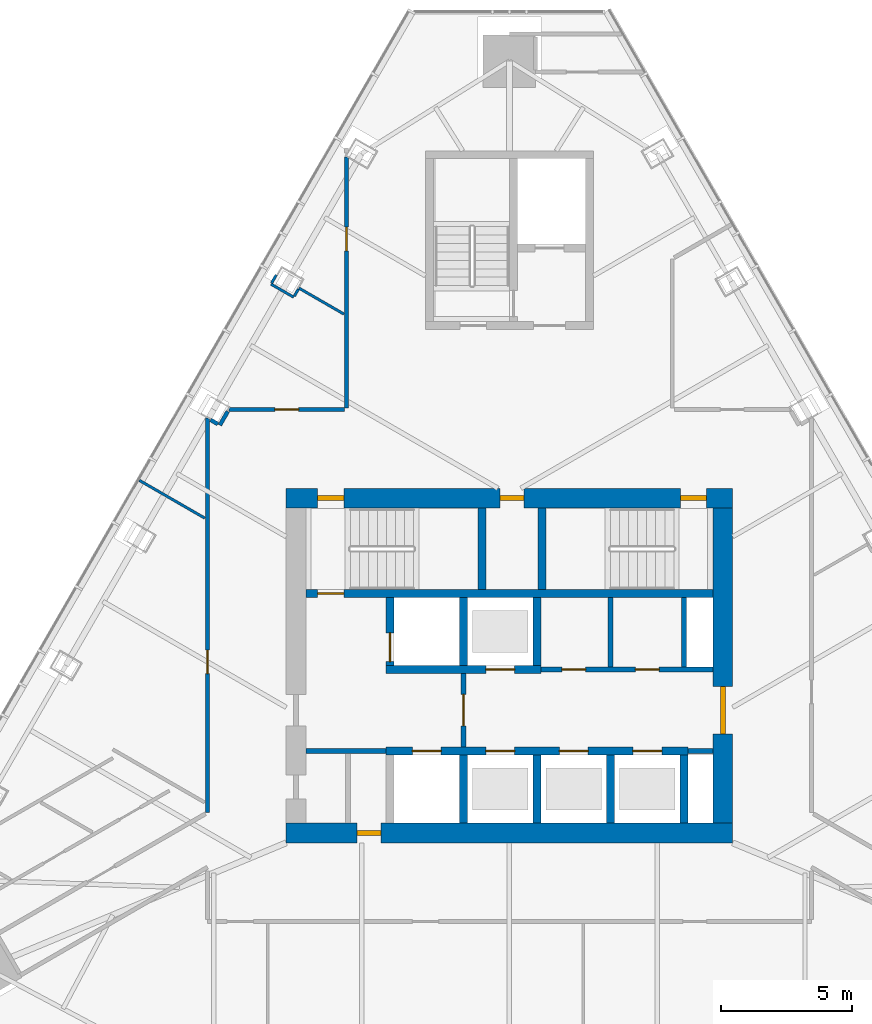
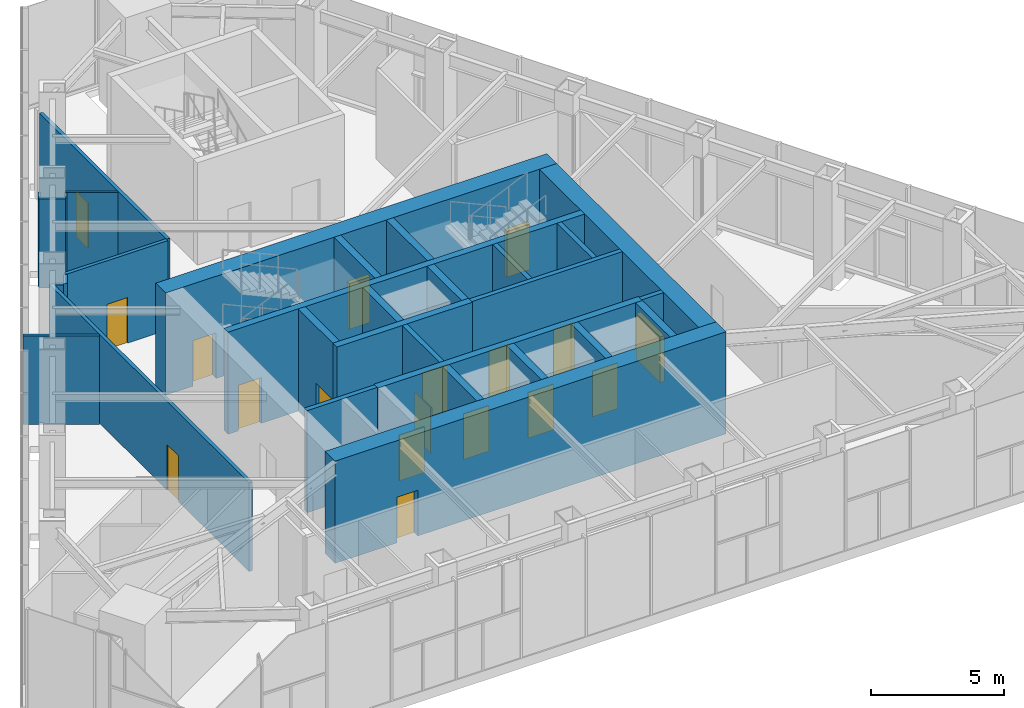
# One storey, part 12 of 17: 31 walls, 18 doors, 18 openings.
"""IFC4 building model written with IfcOpenShell, lengths in metres."""

from ifc_helpers import new_model, si_unit, direction, frame, frame_2d, origin, place, context, subcontext, project, spatial, rectangle, extrude, material, layer, layer_set, type_object, element, fill, save


model = new_model("IFC4")

# Units and contexts
model_context = context("Model", 3, precision=1e-05, world=origin(), true_north=direction((0.0, 1.0)))
body_context = subcontext(model_context, "Body", "Model", "MODEL_VIEW")
ifc_project = project(units=[si_unit("LENGTHUNIT", "METRE"), si_unit("AREAUNIT", "SQUARE_METRE"), si_unit("VOLUMEUNIT", "CUBIC_METRE"), si_unit("PLANEANGLEUNIT", "RADIAN"), si_unit("MASSUNIT", "GRAM", prefix="KILO")], contexts=[model_context])

# Site, building, storey
site_placement = place(None, origin())
site = spatial("IfcSite", under=ifc_project, at=site_placement, CompositionType="ELEMENT")
building_placement = place(site_placement, origin())
building = spatial("IfcBuilding", under=site, at=building_placement, Name="Firuza Gate Tower and Library", CompositionType="ELEMENT")
storey_placement = place(building_placement, frame((0.0, 0.0, 326.60009765625)))
storey = spatial("IfcBuildingStorey", under=building, at=storey_placement, Name="L80", CompositionType="ELEMENT", Elevation=326.60009765625)

# Walls
ifc_material_1 = material(Name="Plasterboard on steel studs", Category="steel")
ifc_layer_1 = layer(ifc_material_1, 0.199951171875)
ifc_layer_set_1 = layer_set([ifc_layer_1], Name="Core partition 200 EI 120")
wall_type_1 = type_object("IfcWallType", Name="Core partition 200 EI 120", PredefinedType="PARTITIONING", material=ifc_layer_set_1)
wall_1_placement = place(storey_placement, frame((67.25, 71.75, 0.0), z_axis=(0.0, 0.0, 1.0), x_axis=(1.0, 0.0, 0.0)))
element("IfcWall", 1, at=wall_1_placement, inside=storey, type_object=wall_type_1, Name="Core partition L80 1", PredefinedType="PARTITIONING", context=body_context, shape_type="SweptSolid", body=[
    extrude(rectangle(XDim=3.050048828125, YDim=0.199951171875, at=frame_2d((1.52490234375, 0.0))), origin(), (0.0, 0.0, 1.0), 4.699951171875),
])
wall_2_placement = place(storey_placement, frame((81.800048828125, 71.75, 0.0), z_axis=(0.0, 0.0, 1.0), x_axis=(1.0, 0.0, 0.0)))
element("IfcWall", 2, at=wall_2_placement, inside=storey, type_object=wall_type_1, Name="Core partition L80 2", PredefinedType="PARTITIONING", context=body_context, shape_type="SweptSolid", body=[
    extrude(rectangle(XDim=0.949951171875, YDim=0.199951171875, at=frame_2d((0.47509765625, 0.0))), origin(), (0.0, 0.0, 1.0), 4.699951171875),
])

# Wall, openings, doors
wall_3_placement = place(storey_placement, frame((76.199951171875, 74.85009765625, 0.0), z_axis=(0.0, 0.0, 1.0), x_axis=(1.0, 0.0, 0.0)))
wall_3 = element("IfcWall", 3, at=wall_3_placement, inside=storey, type_object=wall_type_1, Name="Core partition L80 3", PredefinedType="PARTITIONING", context=body_context, shape_type="SweptSolid", body=[
    extrude(rectangle(XDim=6.550048828125, YDim=0.199951171875, at=frame_2d((3.27490234375, 0.0))), origin(), (0.0, 0.0, 1.0), 4.699951171875),
])
opening_1_placement = place(wall_3_placement, frame((0.800048828125, 0.0, 0.0)))
opening_1 = element("IfcOpeningElement", 4, at=opening_1_placement, cuts=wall_3, Name="Opening L80-K19", PredefinedType="OPENING", context=body_context, shape_type="SweptSolid", body=[
    extrude(rectangle(XDim=0.89990234375, YDim=2.10009765625, at=frame_2d((0.449951171875, 1.050048828125))), frame((0.0, 0.10986328125, 0.0), z_axis=(0.0, -1.0, 0.0), x_axis=(1.0, 0.0, 0.0)), (0.0, 0.0, 1.0), 0.219970703125),
])
opening_2_placement = place(wall_3_placement, frame((3.60009765625, 0.0, 0.0)))
opening_2 = element("IfcOpeningElement", 5, at=opening_2_placement, cuts=wall_3, Name="Opening L80-K20", PredefinedType="OPENING", context=body_context, shape_type="SweptSolid", body=[
    extrude(rectangle(XDim=0.89990234375, YDim=2.10009765625, at=frame_2d((0.449951171875, 1.050048828125))), frame((0.0, 0.10986328125, 0.0), z_axis=(0.0, -1.0, 0.0), x_axis=(1.0, 0.0, 0.0)), (0.0, 0.0, 1.0), 0.219970703125),
])
ifc_material_2 = material(Name="Steel", Category="steel")
door_type_1 = type_object("IfcDoorType", Name="Fire door 900x2100 FD30S", OperationType="NOTDEFINED", PredefinedType="DOOR", material=ifc_material_2)
door_1_placement = place(opening_1_placement, origin())
door_1 = element("IfcDoor", 6, at=door_1_placement, inside=storey, type_object=door_type_1, Name="Door L80-K19", OperationType="SINGLE_SWING_RIGHT", OverallHeight=2.10009765625, OverallWidth=0.89990234375, PredefinedType="DOOR", context=body_context, shape_type="SweptSolid", body=[
    extrude(rectangle(XDim=0.89990234375, YDim=2.10009765625, at=frame_2d((0.449951171875, 1.050048828125))), frame((0.0, 0.02490234375, 0.0), z_axis=(0.0, -1.0, 0.0), x_axis=(1.0, 0.0, 0.0)), (0.0, 0.0, 1.0), 0.050048828125),
])
fill(opening_1, door_1)
door_2_placement = place(opening_2_placement, origin())
door_2 = element("IfcDoor", 7, at=door_2_placement, inside=storey, type_object=door_type_1, Name="Door L80-K20", OperationType="SINGLE_SWING_LEFT", OverallHeight=2.10009765625, OverallWidth=0.89990234375, PredefinedType="DOOR", context=body_context, shape_type="SweptSolid", body=[
    extrude(rectangle(XDim=0.89990234375, YDim=2.10009765625, at=frame_2d((0.449951171875, 1.050048828125))), frame((0.0, 0.02490234375, 0.0), z_axis=(0.0, -1.0, 0.0), x_axis=(1.0, 0.0, 0.0)), (0.0, 0.0, 1.0), 0.050048828125),
])
fill(opening_2, door_2)

# Walls
for number, where, z_axis, x_axis, name in (
    (8, (78.85009765625, 74.949951171875, 0.0), (0.0, 0.0, 1.0), (0.0, 1.0, 0.0), "Core partition L80 6"),
    (9, (81.64990234375, 74.949951171875, 0.0), (0.0, 0.0, 1.0), (0.0, 1.0, 0.0), "Core partition L80 7"),
):
    element("IfcWall", number, at=place(storey_placement, frame(where, z_axis=z_axis, x_axis=x_axis)), inside=storey, type_object=wall_type_1, Name=name, PredefinedType="PARTITIONING", context=body_context, shape_type="SweptSolid", body=[
        extrude(rectangle(XDim=2.650146484375, YDim=0.199951171875, at=frame_2d((1.3251953125, 0.0))), origin(), (0.0, 0.0, 1.0), 4.699951171875),
    ])

# Wall, opening, door
ifc_material_3 = material(Name="Plasterboard on steel studs", Category="steel")
ifc_layer_2 = layer(ifc_material_3, 0.199951171875)
ifc_layer_set_2 = layer_set([ifc_layer_2], Name="Core partition 200 EI 60")
wall_type_2 = type_object("IfcWallType", Name="Core partition 200 EI 60", PredefinedType="PARTITIONING", material=ifc_layer_set_2)
wall_4_placement = place(storey_placement, frame((73.25, 71.89990234375, 0.0), z_axis=(0.0, 0.0, 1.0), x_axis=(0.0, 1.0, 0.0)))
wall_4 = element("IfcWall", 10, at=wall_4_placement, inside=storey, type_object=wall_type_2, Name="Core partition L80 5", PredefinedType="PARTITIONING", context=body_context, shape_type="SweptSolid", body=[
    extrude(rectangle(XDim=2.800048828125, YDim=0.199951171875, at=frame_2d((1.39990234375, 0.0))), origin(), (0.0, 0.0, 1.0), 4.699951171875),
])
opening_3_placement = place(wall_4_placement, frame((0.800048828125, 0.0, 0.0)))
opening_3 = element("IfcOpeningElement", 11, at=opening_3_placement, cuts=wall_4, Name="Opening L80-K14", PredefinedType="OPENING", context=body_context, shape_type="SweptSolid", body=[
    extrude(rectangle(XDim=1.199951171875, YDim=2.10009765625, at=frame_2d((0.60009765625, 1.050048828125))), frame((0.0, 0.10986328125, 0.0), z_axis=(0.0, -1.0, 0.0), x_axis=(1.0, 0.0, 0.0)), (0.0, 0.0, 1.0), 0.219970703125),
])
ifc_material_4 = material(Name="Steel", Category="steel")
door_type_2 = type_object("IfcDoorType", Name="Fire door 1200x2100 FD90S", OperationType="NOTDEFINED", PredefinedType="DOOR", material=ifc_material_4)
door_3_placement = place(opening_3_placement, origin())
door_3 = element("IfcDoor", 12, at=door_3_placement, inside=storey, type_object=door_type_2, Name="Door L80-K14", OperationType="SINGLE_SWING_LEFT", OverallHeight=2.10009765625, OverallWidth=1.199951171875, PredefinedType="DOOR", context=body_context, shape_type="SweptSolid", body=[
    extrude(rectangle(XDim=1.199951171875, YDim=2.10009765625, at=frame_2d((0.60009765625, 1.050048828125))), frame((0.0, 0.02490234375, 0.0), z_axis=(0.0, -1.0, 0.0), x_axis=(1.0, 0.0, 0.0)), (0.0, 0.0, 1.0), 0.050048828125),
])
fill(opening_3, door_3)

# Wall, openings, doors
ifc_material_5 = material(Name="Concrete C60/75", Category="concrete")
ifc_layer_3 = layer(ifc_material_5, 0.300048828125)
ifc_layer_set_3 = layer_set([ifc_layer_3], Name="Core wall 300 C60/75")
wall_type_3 = type_object("IfcWallType", Name="Core wall 300 C60/75", PredefinedType="SHEAR", material=ifc_layer_set_3)
wall_5_placement = place(storey_placement, frame((70.300048828125, 71.75, 0.0), z_axis=(0.0, 0.0, 1.0), x_axis=(1.0, 0.0, 0.0)))
wall_5 = element("IfcWall", 13, at=wall_5_placement, inside=storey, type_object=wall_type_3, Name="Core wall L80 5", PredefinedType="SHEAR", context=body_context, shape_type="SweptSolid", body=[
    extrude(rectangle(XDim=11.5, YDim=0.300048828125, at=frame_2d((5.75, 0.0))), origin(), (0.0, 0.0, 1.0), 4.699951171875),
])
opening_4_placement = place(wall_5_placement, frame((1.0, 0.0, 0.0)))
opening_4 = element("IfcOpeningElement", 14, at=opening_4_placement, cuts=wall_5, Name="Opening LD-FF1-L80", PredefinedType="OPENING", context=body_context, shape_type="SweptSolid", body=[
    extrude(rectangle(XDim=1.10009765625, YDim=2.10009765625, at=frame_2d((0.550048828125, 1.050048828125))), frame((0.0, 0.16015625, 0.0), z_axis=(0.0, -1.0, 0.0), x_axis=(1.0, 0.0, 0.0)), (0.0, 0.0, 1.0), 0.320068359375),
])
opening_5_placement = place(wall_5_placement, frame((3.800048828125, 0.0, 0.0)))
opening_5 = element("IfcOpeningElement", 15, at=opening_5_placement, cuts=wall_5, Name="Opening LD-HR1-L80", PredefinedType="OPENING", context=body_context, shape_type="SweptSolid", body=[
    extrude(rectangle(XDim=1.10009765625, YDim=2.10009765625, at=frame_2d((0.550048828125, 1.050048828125))), frame((0.0, 0.16015625, 0.0), z_axis=(0.0, -1.0, 0.0), x_axis=(1.0, 0.0, 0.0)), (0.0, 0.0, 1.0), 0.320068359375),
])
opening_6_placement = place(wall_5_placement, frame((6.60009765625, 0.0, 0.0)))
opening_6 = element("IfcOpeningElement", 16, at=opening_6_placement, cuts=wall_5, Name="Opening LD-HR2-L80", PredefinedType="OPENING", context=body_context, shape_type="SweptSolid", body=[
    extrude(rectangle(XDim=1.10009765625, YDim=2.10009765625, at=frame_2d((0.550048828125, 1.050048828125))), frame((0.0, 0.16015625, 0.0), z_axis=(0.0, -1.0, 0.0), x_axis=(1.0, 0.0, 0.0)), (0.0, 0.0, 1.0), 0.320068359375),
])
opening_7_placement = place(wall_5_placement, frame((9.39990234375, 0.0, 0.0)))
opening_7 = element("IfcOpeningElement", 17, at=opening_7_placement, cuts=wall_5, Name="Opening LD-HR3-L80", PredefinedType="OPENING", context=body_context, shape_type="SweptSolid", body=[
    extrude(rectangle(XDim=1.10009765625, YDim=2.10009765625, at=frame_2d((0.550048828125, 1.050048828125))), frame((0.0, 0.16015625, 0.0), z_axis=(0.0, -1.0, 0.0), x_axis=(1.0, 0.0, 0.0)), (0.0, 0.0, 1.0), 0.320068359375),
])
ifc_material_6 = material(Name="Stainless steel", Category="steel")
door_type_3 = type_object("IfcDoorType", Name="Lift landing door 1100x2100", OperationType="DOUBLE_DOOR_SLIDING", PredefinedType="DOOR", material=ifc_material_6)
door_4_placement = place(opening_4_placement, origin())
door_4 = element("IfcDoor", 18, at=door_4_placement, inside=storey, type_object=door_type_3, Name="Landing door FF1 L80", OperationType="DOUBLE_DOOR_SLIDING", OverallHeight=2.10009765625, OverallWidth=1.10009765625, PredefinedType="DOOR", context=body_context, shape_type="SweptSolid", body=[
    extrude(rectangle(XDim=1.10009765625, YDim=2.10009765625, at=frame_2d((0.550048828125, 1.050048828125))), frame((0.0, 0.02490234375, 0.0), z_axis=(0.0, -1.0, 0.0), x_axis=(1.0, 0.0, 0.0)), (0.0, 0.0, 1.0), 0.050048828125),
])
fill(opening_4, door_4)
door_5_placement = place(opening_5_placement, origin())
door_5 = element("IfcDoor", 19, at=door_5_placement, inside=storey, type_object=door_type_3, Name="Landing door HR1 L80", OperationType="DOUBLE_DOOR_SLIDING", OverallHeight=2.10009765625, OverallWidth=1.10009765625, PredefinedType="DOOR", context=body_context, shape_type="SweptSolid", body=[
    extrude(rectangle(XDim=1.10009765625, YDim=2.10009765625, at=frame_2d((0.550048828125, 1.050048828125))), frame((0.0, 0.02490234375, 0.0), z_axis=(0.0, -1.0, 0.0), x_axis=(1.0, 0.0, 0.0)), (0.0, 0.0, 1.0), 0.050048828125),
])
fill(opening_5, door_5)
door_6_placement = place(opening_6_placement, origin())
door_6 = element("IfcDoor", 20, at=door_6_placement, inside=storey, type_object=door_type_3, Name="Landing door HR2 L80", OperationType="DOUBLE_DOOR_SLIDING", OverallHeight=2.10009765625, OverallWidth=1.10009765625, PredefinedType="DOOR", context=body_context, shape_type="SweptSolid", body=[
    extrude(rectangle(XDim=1.10009765625, YDim=2.10009765625, at=frame_2d((0.550048828125, 1.050048828125))), frame((0.0, 0.02490234375, 0.0), z_axis=(0.0, -1.0, 0.0), x_axis=(1.0, 0.0, 0.0)), (0.0, 0.0, 1.0), 0.050048828125),
])
fill(opening_6, door_6)
door_7_placement = place(opening_7_placement, origin())
door_7 = element("IfcDoor", 21, at=door_7_placement, inside=storey, type_object=door_type_3, Name="Landing door HR3 L80", OperationType="DOUBLE_DOOR_SLIDING", OverallHeight=2.10009765625, OverallWidth=1.10009765625, PredefinedType="DOOR", context=body_context, shape_type="SweptSolid", body=[
    extrude(rectangle(XDim=1.10009765625, YDim=2.10009765625, at=frame_2d((0.550048828125, 1.050048828125))), frame((0.0, 0.02490234375, 0.0), z_axis=(0.0, -1.0, 0.0), x_axis=(1.0, 0.0, 0.0)), (0.0, 0.0, 1.0), 0.050048828125),
])
fill(opening_7, door_7)

# Wall, opening, door
wall_6_placement = place(storey_placement, frame((70.300048828125, 74.85009765625, 0.0), z_axis=(0.0, 0.0, 1.0), x_axis=(1.0, 0.0, 0.0)))
wall_6 = element("IfcWall", 22, at=wall_6_placement, inside=storey, type_object=wall_type_3, Name="Core wall L80 6", PredefinedType="SHEAR", context=body_context, shape_type="SweptSolid", body=[
    extrude(rectangle(XDim=5.89990234375, YDim=0.300048828125, at=frame_2d((2.949951171875, 0.0))), origin(), (0.0, 0.0, 1.0), 4.699951171875),
])
opening_8_placement = place(wall_6_placement, frame((3.800048828125, 0.0, 0.0)))
opening_8 = element("IfcOpeningElement", 23, at=opening_8_placement, cuts=wall_6, Name="Opening LD-HR4-L80", PredefinedType="OPENING", context=body_context, shape_type="SweptSolid", body=[
    extrude(rectangle(XDim=1.10009765625, YDim=2.10009765625, at=frame_2d((0.550048828125, 1.050048828125))), frame((0.0, 0.16015625, 0.0), z_axis=(0.0, -1.0, 0.0), x_axis=(1.0, 0.0, 0.0)), (0.0, 0.0, 1.0), 0.320068359375),
])
door_8_placement = place(opening_8_placement, origin())
door_8 = element("IfcDoor", 24, at=door_8_placement, inside=storey, type_object=door_type_3, Name="Landing door HR4 L80", OperationType="DOUBLE_DOOR_SLIDING", OverallHeight=2.10009765625, OverallWidth=1.10009765625, PredefinedType="DOOR", context=body_context, shape_type="SweptSolid", body=[
    extrude(rectangle(XDim=1.10009765625, YDim=2.10009765625, at=frame_2d((0.550048828125, 1.050048828125))), frame((0.0, 0.02490234375, 0.0), z_axis=(0.0, -1.0, 0.0), x_axis=(1.0, 0.0, 0.0)), (0.0, 0.0, 1.0), 0.050048828125),
])
fill(opening_8, door_8)

wall_7_placement = place(storey_placement, frame((70.449951171875, 75.0, 0.0), z_axis=(0.0, 0.0, 1.0), x_axis=(0.0, 1.0, 0.0)))
wall_7 = element("IfcWall", 25, at=wall_7_placement, inside=storey, type_object=wall_type_3, Name="Core wall L80 8", PredefinedType="SHEAR", context=body_context, shape_type="SweptSolid", body=[
    extrude(rectangle(XDim=2.60009765625, YDim=0.300048828125, at=frame_2d((1.300048828125, 0.0))), origin(), (0.0, 0.0, 1.0), 4.699951171875),
])
opening_9_placement = place(wall_7_placement, frame((0.14990234375, 0.0, 0.0)))
opening_9 = element("IfcOpeningElement", 26, at=opening_9_placement, cuts=wall_7, Name="Opening LD-FF2-L80", PredefinedType="OPENING", context=body_context, shape_type="SweptSolid", body=[
    extrude(rectangle(XDim=1.10009765625, YDim=2.10009765625, at=frame_2d((0.550048828125, 1.050048828125))), frame((0.0, 0.16015625, 0.0), z_axis=(0.0, -1.0, 0.0), x_axis=(1.0, 0.0, 0.0)), (0.0, 0.0, 1.0), 0.320068359375),
])
door_9_placement = place(opening_9_placement, origin())
door_9 = element("IfcDoor", 27, at=door_9_placement, inside=storey, type_object=door_type_3, Name="Landing door FF2 L80", OperationType="DOUBLE_DOOR_SLIDING", OverallHeight=2.10009765625, OverallWidth=1.10009765625, PredefinedType="DOOR", context=body_context, shape_type="SweptSolid", body=[
    extrude(rectangle(XDim=1.10009765625, YDim=2.10009765625, at=frame_2d((0.550048828125, 1.050048828125))), frame((0.0, 0.02490234375, 0.0), z_axis=(0.0, -1.0, 0.0), x_axis=(1.0, 0.0, 0.0)), (0.0, 0.0, 1.0), 0.050048828125),
])
fill(opening_9, door_9)

# Walls
for number, where, z_axis, x_axis, name in (
    (28, (73.25, 69.0, 0.0), (0.0, 0.0, 1.0), (0.0, 1.0, 0.0), "Core wall L80 9"),
    (29, (73.25, 75.0, 0.0), (0.0, 0.0, 1.0), (0.0, 1.0, 0.0), "Core wall L80 10"),
    (30, (76.050048828125, 69.0, 0.0), (0.0, 0.0, 1.0), (0.0, 1.0, 0.0), "Core wall L80 11"),
    (31, (76.050048828125, 75.0, 0.0), (0.0, 0.0, 1.0), (0.0, 1.0, 0.0), "Core wall L80 12"),
    (32, (78.85009765625, 69.0, 0.0), (0.0, 0.0, 1.0), (0.0, 1.0, 0.0), "Core wall L80 13"),
    (33, (81.64990234375, 69.0, 0.0), (0.0, 0.0, 1.0), (0.0, 1.0, 0.0), "Core wall L80 14"),
):
    element("IfcWall", number, at=place(storey_placement, frame(where, z_axis=z_axis, x_axis=x_axis)), inside=storey, type_object=wall_type_3, Name=name, PredefinedType="SHEAR", context=body_context, shape_type="SweptSolid", body=[
        extrude(rectangle(XDim=2.60009765625, YDim=0.300048828125, at=frame_2d((1.300048828125, 0.0))), origin(), (0.0, 0.0, 1.0), 4.699951171875),
    ])

# Wall, opening, door
wall_8_placement = place(storey_placement, frame((67.25, 77.75, 0.0), z_axis=(0.0, 0.0, 1.0), x_axis=(1.0, 0.0, 0.0)))
wall_8 = element("IfcWall", 34, at=wall_8_placement, inside=storey, type_object=wall_type_3, Name="Core wall L80 15", PredefinedType="SHEAR", context=body_context, shape_type="SweptSolid", body=[
    extrude(rectangle(XDim=15.5, YDim=0.300048828125, at=frame_2d((7.75, 0.0))), origin(), (0.0, 0.0, 1.0), 4.699951171875),
])
opening_10_placement = place(wall_8_placement, frame((0.445068359375, 0.0, 0.0)))
opening_10 = element("IfcOpeningElement", 35, at=opening_10_placement, cuts=wall_8, Name="Opening L80-K08", PredefinedType="OPENING", context=body_context, shape_type="SweptSolid", body=[
    extrude(rectangle(XDim=1.0, YDim=2.10009765625, at=frame_2d((0.5, 1.050048828125))), frame((0.0, 0.16015625, 0.0), z_axis=(0.0, -1.0, 0.0), x_axis=(1.0, 0.0, 0.0)), (0.0, 0.0, 1.0), 0.320068359375),
])
ifc_material_7 = material(Name="Steel", Category="steel")
door_type_4 = type_object("IfcDoorType", Name="Fire door 1000x2100 FD90", OperationType="NOTDEFINED", PredefinedType="DOOR", material=ifc_material_7)
door_10_placement = place(opening_10_placement, origin())
door_10 = element("IfcDoor", 36, at=door_10_placement, inside=storey, type_object=door_type_4, Name="Door L80-K08", OperationType="SINGLE_SWING_LEFT", OverallHeight=2.10009765625, OverallWidth=1.0, PredefinedType="DOOR", context=body_context, shape_type="SweptSolid", body=[
    extrude(rectangle(XDim=1.0, YDim=2.10009765625, at=frame_2d((0.5, 1.050048828125))), frame((0.0, 0.02490234375, 0.0), z_axis=(0.0, -1.0, 0.0), x_axis=(1.0, 0.0, 0.0)), (0.0, 0.0, 1.0), 0.050048828125),
])
fill(opening_10, door_10)

# Walls
for number, where, z_axis, x_axis, name in (
    (37, (73.9599609375, 77.89990234375, 0.0), (0.0, 0.0, 1.0), (0.0, 1.0, 0.0), "Core wall L80 16"),
    (38, (76.239990234375, 77.89990234375, 0.0), (0.0, 0.0, 1.0), (0.0, 1.0, 0.0), "Core wall L80 17"),
):
    element("IfcWall", number, at=place(storey_placement, frame(where, z_axis=z_axis, x_axis=x_axis)), inside=storey, type_object=wall_type_3, Name=name, PredefinedType="SHEAR", context=body_context, shape_type="SweptSolid", body=[
        extrude(rectangle(XDim=3.10009765625, YDim=0.300048828125, at=frame_2d((1.550048828125, 0.0))), origin(), (0.0, 0.0, 1.0), 4.699951171875),
    ])

# Wall, opening, door
ifc_material_8 = material(Name="Concrete C60/75", Category="concrete")
ifc_layer_4 = layer(ifc_material_8, 0.75)
ifc_layer_set_4 = layer_set([ifc_layer_4], Name="Core wall 750 C60/75")
wall_type_4 = type_object("IfcWallType", Name="Core wall 750 C60/75", PredefinedType="SHEAR", material=ifc_layer_set_4)
wall_9_placement = place(storey_placement, frame((66.5, 68.625, 0.0), z_axis=(0.0, 0.0, 1.0), x_axis=(1.0, 0.0, 0.0)))
wall_9 = element("IfcWall", 39, at=wall_9_placement, inside=storey, type_object=wall_type_4, Name="Core wall L80 1", PredefinedType="SHEAR", context=body_context, shape_type="SweptSolid", body=[
    extrude(rectangle(XDim=17.0, YDim=0.75, at=frame_2d((8.5, 0.0))), origin(), (0.0, 0.0, 1.0), 4.699951171875),
])
opening_11_placement = place(wall_9_placement, frame((2.699951171875, 0.0, 0.0)))
opening_11 = element("IfcOpeningElement", 40, at=opening_11_placement, cuts=wall_9, Name="Opening L80-K18", PredefinedType="OPENING", context=body_context, shape_type="SweptSolid", body=[
    extrude(rectangle(XDim=0.89990234375, YDim=2.10009765625, at=frame_2d((0.449951171875, 1.050048828125))), frame((0.0, 0.385009765625, 0.0), z_axis=(0.0, -1.0, 0.0), x_axis=(1.0, 0.0, 0.0)), (0.0, 0.0, 1.0), 0.77001953125),
])
door_11_placement = place(opening_11_placement, origin())
door_11 = element("IfcDoor", 41, at=door_11_placement, inside=storey, type_object=door_type_1, Name="Door L80-K18", OperationType="SINGLE_SWING_LEFT", OverallHeight=2.10009765625, OverallWidth=0.89990234375, PredefinedType="DOOR", context=body_context, shape_type="SweptSolid", body=[
    extrude(rectangle(XDim=0.89990234375, YDim=2.10009765625, at=frame_2d((0.449951171875, 1.050048828125))), frame((0.0, 0.094970703125, 0.0), z_axis=(0.0, -1.0, 0.0), x_axis=(1.0, 0.0, 0.0)), (0.0, 0.0, 1.0), 0.18994140625),
])
fill(opening_11, door_11)

# Wall, openings, doors
wall_10_placement = place(storey_placement, frame((66.5, 81.375, 0.0), z_axis=(0.0, 0.0, 1.0), x_axis=(1.0, 0.0, 0.0)))
wall_10 = element("IfcWall", 42, at=wall_10_placement, inside=storey, type_object=wall_type_4, Name="Core wall L80 2", PredefinedType="SHEAR", context=body_context, shape_type="SweptSolid", body=[
    extrude(rectangle(XDim=17.0, YDim=0.75, at=frame_2d((8.5, 0.0))), origin(), (0.0, 0.0, 1.0), 4.699951171875),
])
opening_12_placement = place(wall_10_placement, frame((1.195068359375, 0.0, 0.0)))
opening_12 = element("IfcOpeningElement", 43, at=opening_12_placement, cuts=wall_10, Name="Opening L80-K09", PredefinedType="OPENING", context=body_context, shape_type="SweptSolid", body=[
    extrude(rectangle(XDim=1.0, YDim=2.10009765625, at=frame_2d((0.5, 1.050048828125))), frame((0.0, 0.385009765625, 0.0), z_axis=(0.0, -1.0, 0.0), x_axis=(1.0, 0.0, 0.0)), (0.0, 0.0, 1.0), 0.77001953125),
])
opening_13_placement = place(wall_10_placement, frame((15.0048828125, 0.0, 0.0)))
opening_13 = element("IfcOpeningElement", 44, at=opening_13_placement, cuts=wall_10, Name="Opening L80-K10", PredefinedType="OPENING", context=body_context, shape_type="SweptSolid", body=[
    extrude(rectangle(XDim=1.0, YDim=2.10009765625, at=frame_2d((0.5, 1.050048828125))), frame((0.0, 0.385009765625, 0.0), z_axis=(0.0, -1.0, 0.0), x_axis=(1.0, 0.0, 0.0)), (0.0, 0.0, 1.0), 0.77001953125),
])
opening_14_placement = place(wall_10_placement, frame((8.14990234375, 0.0, 0.0)))
opening_14 = element("IfcOpeningElement", 45, at=opening_14_placement, cuts=wall_10, Name="Opening L80-K21", PredefinedType="OPENING", context=body_context, shape_type="SweptSolid", body=[
    extrude(rectangle(XDim=0.89990234375, YDim=2.10009765625, at=frame_2d((0.449951171875, 1.050048828125))), frame((0.0, 0.385009765625, 0.0), z_axis=(0.0, -1.0, 0.0), x_axis=(1.0, 0.0, 0.0)), (0.0, 0.0, 1.0), 0.77001953125),
])
door_12_placement = place(opening_12_placement, origin())
door_12 = element("IfcDoor", 46, at=door_12_placement, inside=storey, type_object=door_type_4, Name="Door L80-K09", OperationType="SINGLE_SWING_RIGHT", OverallHeight=2.10009765625, OverallWidth=1.0, PredefinedType="DOOR", context=body_context, shape_type="SweptSolid", body=[
    extrude(rectangle(XDim=1.0, YDim=2.10009765625, at=frame_2d((0.5, 1.050048828125))), frame((0.0, 0.094970703125, 0.0), z_axis=(0.0, -1.0, 0.0), x_axis=(1.0, 0.0, 0.0)), (0.0, 0.0, 1.0), 0.18994140625),
])
fill(opening_12, door_12)
door_13_placement = place(opening_13_placement, origin())
door_13 = element("IfcDoor", 47, at=door_13_placement, inside=storey, type_object=door_type_4, Name="Door L80-K10", OperationType="SINGLE_SWING_LEFT", OverallHeight=2.10009765625, OverallWidth=1.0, PredefinedType="DOOR", context=body_context, shape_type="SweptSolid", body=[
    extrude(rectangle(XDim=1.0, YDim=2.10009765625, at=frame_2d((0.5, 1.050048828125))), frame((0.0, 0.094970703125, 0.0), z_axis=(0.0, -1.0, 0.0), x_axis=(1.0, 0.0, 0.0)), (0.0, 0.0, 1.0), 0.18994140625),
])
fill(opening_13, door_13)
door_14_placement = place(opening_14_placement, origin())
door_14 = element("IfcDoor", 48, at=door_14_placement, inside=storey, type_object=door_type_1, Name="Door L80-K21", OperationType="SINGLE_SWING_RIGHT", OverallHeight=2.10009765625, OverallWidth=0.89990234375, PredefinedType="DOOR", context=body_context, shape_type="SweptSolid", body=[
    extrude(rectangle(XDim=0.89990234375, YDim=2.10009765625, at=frame_2d((0.449951171875, 1.050048828125))), frame((0.0, 0.094970703125, 0.0), z_axis=(0.0, -1.0, 0.0), x_axis=(1.0, 0.0, 0.0)), (0.0, 0.0, 1.0), 0.18994140625),
])
fill(opening_14, door_14)

# Wall, opening, door
wall_11_placement = place(storey_placement, frame((83.125, 69.0, 0.0), z_axis=(0.0, 0.0, 1.0), x_axis=(0.0, 1.0, 0.0)))
wall_11 = element("IfcWall", 49, at=wall_11_placement, inside=storey, type_object=wall_type_4, Name="Core wall L80 4", PredefinedType="SHEAR", context=body_context, shape_type="SweptSolid", body=[
    extrude(rectangle(XDim=12.0, YDim=0.75, at=frame_2d((6.0, 0.0))), origin(), (0.0, 0.0, 1.0), 4.699951171875),
])
opening_15_placement = place(wall_11_placement, frame((3.39990234375, 0.0, 0.0)))
opening_15 = element("IfcOpeningElement", 50, at=opening_15_placement, cuts=wall_11, Name="Opening L80-K16", PredefinedType="OPENING", context=body_context, shape_type="SweptSolid", body=[
    extrude(rectangle(XDim=1.800048828125, YDim=2.10009765625, at=frame_2d((0.89990234375, 1.050048828125))), frame((0.0, 0.385009765625, 0.0), z_axis=(0.0, -1.0, 0.0), x_axis=(1.0, 0.0, 0.0)), (0.0, 0.0, 1.0), 0.77001953125),
])
ifc_material_9 = material(Name="Steel", Category="steel")
door_type_5 = type_object("IfcDoorType", Name="Fire door 1800x2100 FD30S", OperationType="NOTDEFINED", PredefinedType="DOOR", material=ifc_material_9)
door_15_placement = place(opening_15_placement, origin())
door_15 = element("IfcDoor", 51, at=door_15_placement, inside=storey, type_object=door_type_5, Name="Door L80-K16", OperationType="SINGLE_SWING_LEFT", OverallHeight=2.10009765625, OverallWidth=1.800048828125, PredefinedType="DOOR", context=body_context, shape_type="SweptSolid", body=[
    extrude(rectangle(XDim=1.800048828125, YDim=2.10009765625, at=frame_2d((0.89990234375, 1.050048828125))), frame((0.0, 0.094970703125, 0.0), z_axis=(0.0, -1.0, 0.0), x_axis=(1.0, 0.0, 0.0)), (0.0, 0.0, 1.0), 0.18994140625),
])
fill(opening_15, door_15)

ifc_material_10 = material(Name="Gypsum board partition")
ifc_layer_5 = layer(ifc_material_10, 0.14990234375)
ifc_layer_set_5 = layer_set([ifc_layer_5], Name="Corridor wall 150 double board on steel studs")
wall_type_5 = type_object("IfcWallType", Name="Corridor wall 150 double board on steel studs", PredefinedType="PARTITIONING", material=ifc_layer_set_5)
wall_12_placement = place(storey_placement, frame((64.317138671875, 84.75, 0.0), z_axis=(0.0, 0.0, 1.0), x_axis=(1.0, 0.0, 0.0)))
wall_12 = element("IfcWall", 52, at=wall_12_placement, inside=storey, type_object=wall_type_5, Name="f:L80:w003", PredefinedType="PARTITIONING", context=body_context, shape_type="SweptSolid", body=[
    extrude(rectangle(XDim=4.4072265625, YDim=0.14990234375, at=frame_2d((2.20361328125, 0.0))), origin(), (0.0, 0.0, 1.0), 4.099853515625),
])
opening_16_placement = place(wall_12_placement, frame((1.753662109375, 0.0, 0.0)))
opening_16 = element("IfcOpeningElement", 53, at=opening_16_placement, cuts=wall_12, Name="Opening L80-04", PredefinedType="OPENING", context=body_context, shape_type="SweptSolid", body=[
    extrude(rectangle(XDim=0.89990234375, YDim=2.10009765625, at=frame_2d((0.449951171875, 1.050048828125))), frame((0.0, 0.0849609375, 0.0), z_axis=(0.0, -1.0, 0.0), x_axis=(1.0, 0.0, 0.0)), (0.0, 0.0, 1.0), 0.169921875),
])
ifc_material_11 = material(Name="Steel door and timber leaf", Category="steel")
door_type_6 = type_object("IfcDoorType", Name="Fire door 900 x 2100 steel frame, timber leaf", OperationType="NOTDEFINED", PredefinedType="DOOR", material=ifc_material_11)
door_16_placement = place(opening_16_placement, origin())
door_16 = element("IfcDoor", 54, at=door_16_placement, inside=storey, type_object=door_type_6, Name="f:L80:d004", OperationType="SINGLE_SWING_RIGHT", OverallHeight=2.10009765625, OverallWidth=0.89990234375, PredefinedType="DOOR", context=body_context, shape_type="SweptSolid", body=[
    extrude(rectangle(XDim=0.89990234375, YDim=2.10009765625, at=frame_2d((0.449951171875, 1.050048828125))), frame((0.0, 0.02490234375, 0.0), z_axis=(0.0, -1.0, 0.0), x_axis=(1.0, 0.0, 0.0)), (0.0, 0.0, 1.0), 0.050048828125),
])
fill(opening_16, door_16)

# Wall
wall_13_placement = place(storey_placement, frame((63.97265625, 84.15380859375, 0.0), z_axis=(0.0, 0.0, 1.0), x_axis=(0.499980071345, 0.866036909293, 0.0)))
element("IfcWall", 55, at=wall_13_placement, inside=storey, type_object=wall_type_5, Name="f:L80:w019", PredefinedType="PARTITIONING", context=body_context, shape_type="SweptSolid", body=[
    extrude(rectangle(XDim=0.6015625, YDim=0.14990234375, at=frame_2d((0.30078125, 0.0))), origin(), (0.0, 0.0, 1.0), 4.099853515625),
])

# Wall, opening, door
wall_14_placement = place(storey_placement, frame((68.800048828125, 84.800537109375, 0.0), z_axis=(0.0, 0.0, 1.0), x_axis=(0.0, 1.0, 0.0)))
wall_14 = element("IfcWall", 56, at=wall_14_placement, inside=storey, type_object=wall_type_5, Name="f:L80:w028", PredefinedType="PARTITIONING", context=body_context, shape_type="SweptSolid", body=[
    extrude(rectangle(XDim=9.559814453125, YDim=0.14990234375, at=frame_2d((4.77978515625, 0.0))), origin(), (0.0, 0.0, 1.0), 4.087890625),
])
opening_17_placement = place(wall_14_placement, frame((5.990966796875, 0.0, 0.0)))
opening_17 = element("IfcOpeningElement", 57, at=opening_17_placement, cuts=wall_14, Name="Opening L80-12", PredefinedType="OPENING", context=body_context, shape_type="SweptSolid", body=[
    extrude(rectangle(XDim=0.89990234375, YDim=2.10009765625, at=frame_2d((0.449951171875, 1.050048828125))), frame((0.0, 0.0849609375, 0.0), z_axis=(0.0, -1.0, 0.0), x_axis=(1.0, 0.0, 0.0)), (0.0, 0.0, 1.0), 0.169921875),
])
door_17_placement = place(opening_17_placement, origin())
door_17 = element("IfcDoor", 58, at=door_17_placement, inside=storey, type_object=door_type_6, Name="f:L80:d012", OperationType="SINGLE_SWING_LEFT", OverallHeight=2.10009765625, OverallWidth=0.89990234375, PredefinedType="DOOR", context=body_context, shape_type="SweptSolid", body=[
    extrude(rectangle(XDim=0.89990234375, YDim=2.10009765625, at=frame_2d((0.449951171875, 1.050048828125))), frame((0.0, 0.02490234375, 0.0), z_axis=(0.0, -1.0, 0.0), x_axis=(1.0, 0.0, 0.0)), (0.0, 0.0, 1.0), 0.050048828125),
])
fill(opening_17, door_17)

wall_15_placement = place(storey_placement, frame((63.5, 69.399658203125, 0.0), z_axis=(0.0, 0.0, 1.0), x_axis=(0.0, 1.0, 0.0)))
wall_15 = element("IfcWall", 59, at=wall_15_placement, inside=storey, type_object=wall_type_5, Name="f:L80:w032", PredefinedType="PARTITIONING", context=body_context, shape_type="SweptSolid", body=[
    extrude(rectangle(XDim=15.025634765625, YDim=0.14990234375, at=frame_2d((7.5126953125, 0.0))), origin(), (0.0, 0.0, 1.0), 4.087890625),
])
opening_18_placement = place(wall_15_placement, frame((5.29296875, 0.0, 0.0)))
opening_18 = element("IfcOpeningElement", 60, at=opening_18_placement, cuts=wall_15, Name="Opening L80-13", PredefinedType="OPENING", context=body_context, shape_type="SweptSolid", body=[
    extrude(rectangle(XDim=0.89990234375, YDim=2.10009765625, at=frame_2d((0.449951171875, 1.050048828125))), frame((0.0, 0.0849609375, 0.0), z_axis=(0.0, -1.0, 0.0), x_axis=(1.0, 0.0, 0.0)), (0.0, 0.0, 1.0), 0.169921875),
])
door_18_placement = place(opening_18_placement, origin())
door_18 = element("IfcDoor", 61, at=door_18_placement, inside=storey, type_object=door_type_6, Name="f:L80:d013", OperationType="SINGLE_SWING_LEFT", OverallHeight=2.10009765625, OverallWidth=0.89990234375, PredefinedType="DOOR", context=body_context, shape_type="SweptSolid", body=[
    extrude(rectangle(XDim=0.89990234375, YDim=2.10009765625, at=frame_2d((0.449951171875, 1.050048828125))), frame((0.0, 0.02490234375, 0.0), z_axis=(0.0, -1.0, 0.0), x_axis=(1.0, 0.0, 0.0)), (0.0, 0.0, 1.0), 0.050048828125),
])
fill(opening_18, door_18)

# Walls
wall_16_placement = place(storey_placement, frame((63.898681640625, 84.19580078125, 0.0), z_axis=(0.0, 0.0, 1.0), x_axis=(-0.866235917577, 0.499635202023, 0.0)))
element("IfcWall", 62, at=wall_16_placement, inside=storey, type_object=wall_type_5, Name="f:L80:w041", PredefinedType="PARTITIONING", context=body_context, shape_type="SweptSolid", body=[
    extrude(rectangle(XDim=0.322998046875, YDim=0.14990234375, at=frame_2d((0.16162109375, 0.0))), origin(), (0.0, 0.0, 1.0), 4.087890625),
])
ifc_material_12 = material(Name="Gypsum board partition")
ifc_layer_6 = layer(ifc_material_12, 0.10009765625)
ifc_layer_set_6 = layer_set([ifc_layer_6], Name="Partition 100 gypsum board on steel studs")
wall_type_6 = type_object("IfcWallType", Name="Partition 100 gypsum board on steel studs", PredefinedType="PARTITIONING", material=ifc_layer_set_6)
wall_17_placement = place(storey_placement, frame((66.81103515625, 89.070068359375, 0.0), z_axis=(0.0, 0.0, 1.0), x_axis=(0.499910707084, 0.866076950936, 0.0)))
element("IfcWall", 63, at=wall_17_placement, inside=storey, type_object=wall_type_6, Name="f:L80:w020", PredefinedType="PARTITIONING", context=body_context, shape_type="SweptSolid", body=[
    extrude(rectangle(XDim=0.29931640625, YDim=0.10009765625, at=frame_2d((0.149658203125, 0.0))), origin(), (0.0, 0.0, 1.0), 4.099853515625),
])
wall_18_placement = place(storey_placement, frame((65.945068359375, 89.570068359375, 0.0), z_axis=(0.0, 0.0, 1.0), x_axis=(0.499520837356, 0.866301871779, 0.0)))
element("IfcWall", 64, at=wall_18_placement, inside=storey, type_object=wall_type_6, Name="f:L80:w021", PredefinedType="PARTITIONING", context=body_context, shape_type="SweptSolid", body=[
    extrude(rectangle(XDim=0.349365234375, YDim=0.10009765625, at=frame_2d((0.1748046875, 0.0))), origin(), (0.0, 0.0, 1.0), 4.099853515625),
])
wall_19_placement = place(storey_placement, frame((68.698974609375, 88.383544921875, 0.0), z_axis=(0.0, 0.0, 1.0), x_axis=(-0.865986221566, 0.500067859453, 0.0)))
element("IfcWall", 65, at=wall_19_placement, inside=storey, type_object=wall_type_6, Name="f:L80:w039", PredefinedType="PARTITIONING", context=body_context, shape_type="SweptSolid", body=[
    extrude(rectangle(XDim=1.978271484375, YDim=0.10009765625, at=frame_2d((0.9892578125, 0.0))), origin(), (0.0, 0.0, 1.0), 4.099853515625),
])
wall_20_placement = place(storey_placement, frame((66.785400390625, 89.026611328125, 0.0), z_axis=(0.0, 0.0, 1.0), x_axis=(-0.866039090965, 0.499976292358, 0.0)))
element("IfcWall", 66, at=wall_20_placement, inside=storey, type_object=wall_type_6, Name="f:L80:w040", PredefinedType="PARTITIONING", context=body_context, shape_type="SweptSolid", body=[
    extrude(rectangle(XDim=0.9990234375, YDim=0.10009765625, at=frame_2d((0.49951171875, 0.0))), origin(), (0.0, 0.0, 1.0), 4.087890625),
])
wall_21_placement = place(storey_placement, frame((63.39892578125, 80.614990234375, 0.0), z_axis=(0.0, 0.0, 1.0), x_axis=(-0.866032736054, 0.499987299922, 0.0)))
element("IfcWall", 67, at=wall_21_placement, inside=storey, type_object=wall_type_6, Name="f:L80:w045", PredefinedType="PARTITIONING", context=body_context, shape_type="SweptSolid", body=[
    extrude(rectangle(XDim=2.87255859375, YDim=0.10009765625, at=frame_2d((1.436279296875, 0.0))), origin(), (0.0, 0.0, 1.0), 4.087890625),
])

save(model, "model.ifc")
